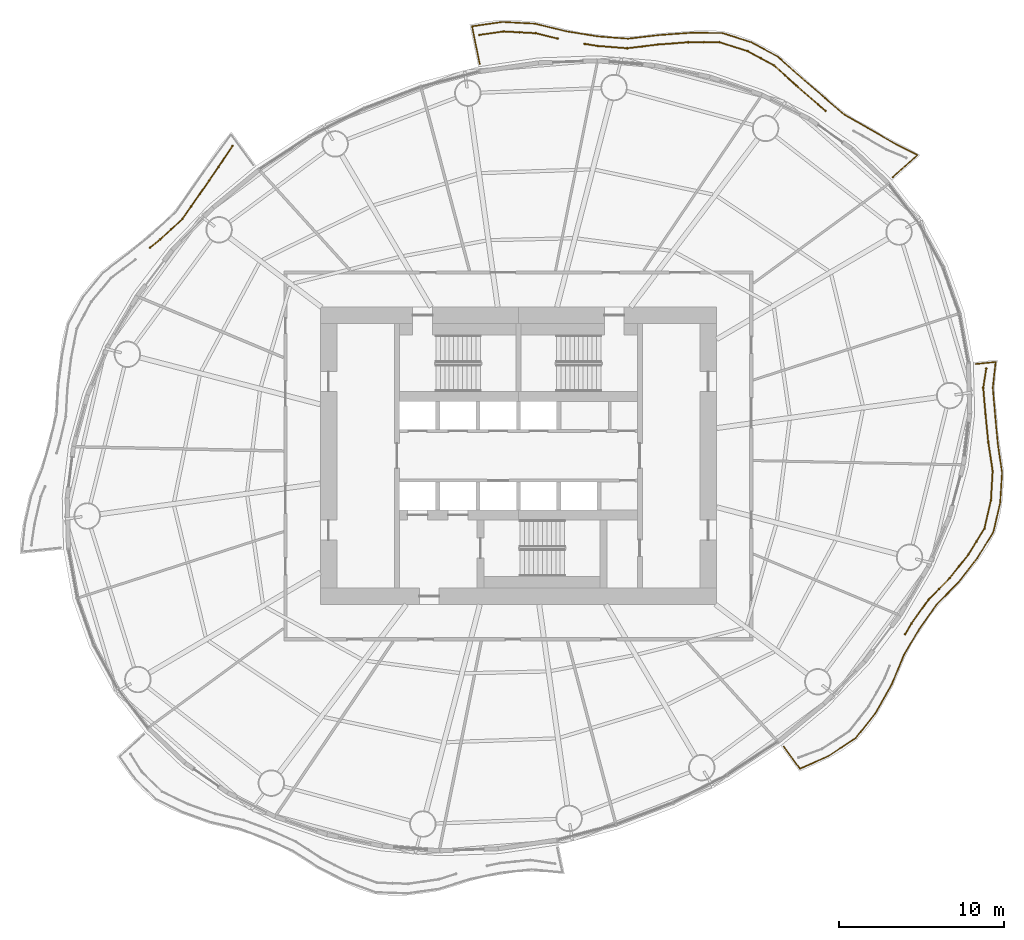
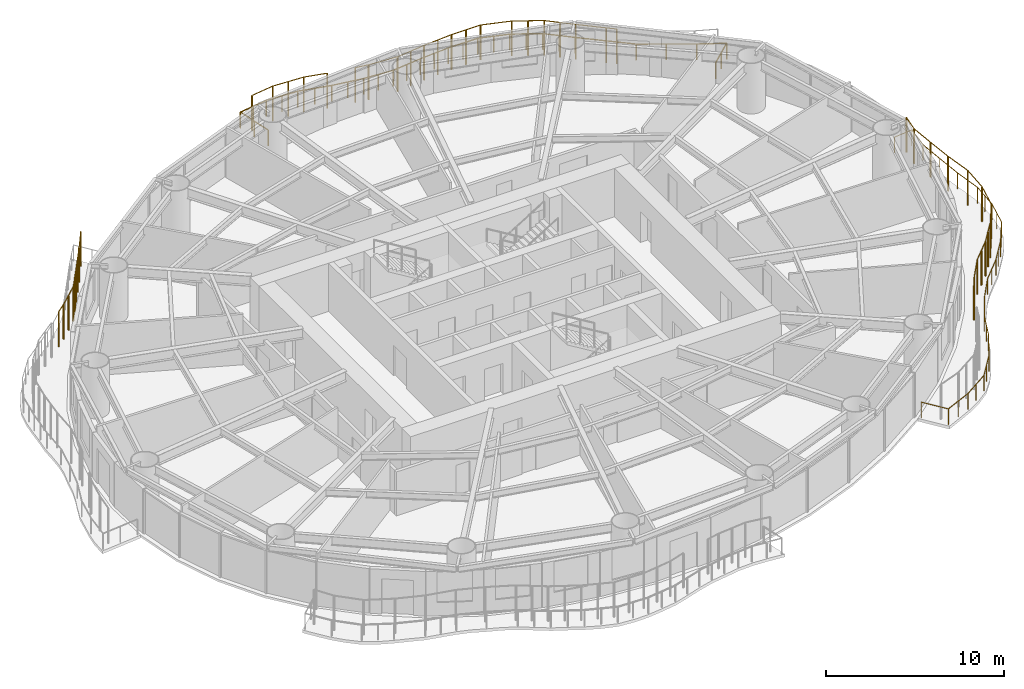
# One storey, part 14 of 15: 6 railings.
"""IFC4 building model written with IfcOpenShell, lengths in metres."""

from ifc_helpers import new_model, si_unit, direction, frame, origin, origin_2d, place, context, subcontext, project, spatial, circle, extrude, material, type_object, element, save


model = new_model("IFC4")

# Units and contexts
model_context = context("Model", 3, precision=1e-05, world=origin(), true_north=direction((0.0, 1.0)))
body_context = subcontext(model_context, "Body", "Model", "MODEL_VIEW")
ifc_project = project(units=[si_unit("LENGTHUNIT", "METRE"), si_unit("AREAUNIT", "SQUARE_METRE"), si_unit("VOLUMEUNIT", "CUBIC_METRE"), si_unit("PLANEANGLEUNIT", "RADIAN"), si_unit("MASSUNIT", "GRAM", prefix="KILO")], contexts=[model_context])

# Site, building, storey
site_placement = place(None, origin())
site = spatial("IfcSite", under=ifc_project, at=site_placement, CompositionType="ELEMENT")
building_placement = place(site_placement, origin())
building = spatial("IfcBuilding", under=site, at=building_placement, Name="Vermilion Reach Broadcast Tower", CompositionType="ELEMENT")
storey_placement = place(building_placement, frame((0.0, 0.0, 128.199951171875)))
storey = spatial("IfcBuildingStorey", under=building, at=storey_placement, Name="L30", CompositionType="ELEMENT", Elevation=128.199951171875)

# Railings
ifc_material_1 = material(Name="Terracotta baguette", Category="masonry")
railing_type_1 = type_object("IfcRailingType", Name="BAGUETTE SCREEN", PredefinedType="USERDEFINED", material=ifc_material_1)
railing_1_placement = place(storey_placement, frame((12.5810546875, 20.88671875, 0.0)))
element("IfcRailing", 1, at=railing_1_placement, inside=storey, type_object=railing_type_1, Name="Baguette screen L30 group 1 part 2", ObjectType="BAGUETTE SCREEN", PredefinedType="USERDEFINED", context=body_context, shape_type="SweptSolid", body=[
    extrude(circle(Radius=0.030029296875, at=origin_2d()), frame((0.0, 0.0, 2.369873046875), z_axis=(-0.755043729656, 0.655674436217, 0.0), x_axis=(-0.655674436217, -0.755043729656, 0.0)), (0.0, 0.0, 1.0), 0.599365234375),
    extrude(circle(Radius=0.030029296875, at=origin_2d()), frame((-0.45263671875, 0.39306640625, 2.369873046875), z_axis=(-0.754321450318, 0.656505254807, 0.0), x_axis=(-0.656505254807, -0.754321450318, 0.0)), (0.0, 0.0, 1.0), 1.73974609375),
    extrude(circle(Radius=0.030029296875, at=origin_2d()), frame((-1.764892578125, 1.53515625, 2.369873046875), z_axis=(-0.741305664288, 0.67116757378, 0.0), x_axis=(-0.67116757378, -0.741305664288, 0.0)), (0.0, 0.0, 1.0), 1.81005859375),
    extrude(circle(Radius=0.030029296875, at=origin_2d()), frame((-3.106689453125, 2.75, 2.369873046875), z_axis=(-0.879491687142, 0.475914248839, 0.0), x_axis=(-0.475914248839, -0.879491687142, 0.0)), (0.0, 0.0, 1.0), 1.8125),
    extrude(circle(Radius=0.030029296875, at=origin_2d()), frame((-4.70068359375, 3.612548828125, 2.369873046875), z_axis=(-0.953558055024, 0.301209288866, 0.0), x_axis=(-0.301209288866, -0.953558055024, 0.0)), (0.0, 0.0, 1.0), 1.79931640625),
    extrude(circle(Radius=0.030029296875, at=origin_2d()), frame((-6.41650390625, 4.154541015625, 2.369873046875), z_axis=(-0.999999158656, -0.001297184017, 0.0), x_axis=(0.001297184017, -0.999999158656, 0.0)), (0.0, 0.0, 1.0), 1.882080078125),
    extrude(circle(Radius=0.030029296875, at=origin_2d()), frame((-8.298583984375, 4.152099609375, 2.369873046875), z_axis=(-0.997128390542, -0.075729603033, 0.0), x_axis=(0.075729603033, -0.997128390542, 0.0)), (0.0, 0.0, 1.0), 1.853759765625),
    extrude(circle(Radius=0.030029296875, at=origin_2d()), frame((-10.14697265625, 4.01171875, 2.369873046875), z_axis=(-0.992766519072, -0.120060978714, 0.0), x_axis=(0.120060978714, -0.992766519072, 0.0)), (0.0, 0.0, 1.0), 1.860595703125),
    extrude(circle(Radius=0.030029296875, at=origin_2d()), frame((-11.994140625, 3.788330078125, 2.369873046875), z_axis=(-0.997052088524, 0.07672765323, 0.0), x_axis=(-0.07672765323, -0.997052088524, 0.0)), (0.0, 0.0, 1.0), 1.7978515625),
    extrude(circle(Radius=0.030029296875, at=origin_2d()), frame((-13.78662109375, 3.92626953125, 2.369873046875), z_axis=(-0.986852441114, 0.161623820851, 0.0), x_axis=(-0.161623820851, -0.986852441114, 0.0)), (0.0, 0.0, 1.0), 0.799072265625),
    extrude(circle(Radius=0.050048828125, at=origin_2d()), origin(), (0.0, 0.0, 1.0), 2.33984375),
    extrude(circle(Radius=0.050048828125, at=origin_2d()), frame((-0.45263671875, 0.39306640625, 0.0)), (0.0, 0.0, 1.0), 2.33984375),
    extrude(circle(Radius=0.050048828125, at=origin_2d()), frame((-1.764892578125, 1.53515625, 0.0)), (0.0, 0.0, 1.0), 2.33984375),
    extrude(circle(Radius=0.050048828125, at=origin_2d()), frame((-2.435791015625, 2.142578125, 0.0)), (0.0, 0.0, 1.0), 2.33984375),
    extrude(circle(Radius=0.050048828125, at=origin_2d()), frame((-3.106689453125, 2.75, 0.0)), (0.0, 0.0, 1.0), 2.33984375),
    extrude(circle(Radius=0.050048828125, at=origin_2d()), frame((-3.90380859375, 3.18115234375, 0.0)), (0.0, 0.0, 1.0), 2.33984375),
    extrude(circle(Radius=0.050048828125, at=origin_2d()), frame((-4.70068359375, 3.612548828125, 0.0)), (0.0, 0.0, 1.0), 2.33984375),
    extrude(circle(Radius=0.050048828125, at=origin_2d()), frame((-6.41650390625, 4.154541015625, 0.0)), (0.0, 0.0, 1.0), 2.33984375),
    extrude(circle(Radius=0.050048828125, at=origin_2d()), frame((-7.357421875, 4.1533203125, 0.0)), (0.0, 0.0, 1.0), 2.33984375),
    extrude(circle(Radius=0.050048828125, at=origin_2d()), frame((-8.298583984375, 4.152099609375, 0.0)), (0.0, 0.0, 1.0), 2.33984375),
    extrude(circle(Radius=0.050048828125, at=origin_2d()), frame((-9.22265625, 4.08203125, 0.0)), (0.0, 0.0, 1.0), 2.33984375),
    extrude(circle(Radius=0.050048828125, at=origin_2d()), frame((-10.14697265625, 4.01171875, 0.0)), (0.0, 0.0, 1.0), 2.33984375),
    extrude(circle(Radius=0.050048828125, at=origin_2d()), frame((-11.070556640625, 3.89990234375, 0.0)), (0.0, 0.0, 1.0), 2.33984375),
    extrude(circle(Radius=0.050048828125, at=origin_2d()), frame((-11.994140625, 3.788330078125, 0.0)), (0.0, 0.0, 1.0), 2.33984375),
    extrude(circle(Radius=0.050048828125, at=origin_2d()), frame((-13.78662109375, 3.92626953125, 0.0)), (0.0, 0.0, 1.0), 2.33984375),
    extrude(circle(Radius=0.050048828125, at=origin_2d()), frame((-14.5751953125, 4.055419921875, 0.0)), (0.0, 0.0, 1.0), 2.33984375),
])
railing_2_placement = place(storey_placement, frame((-3.625, 25.25732421875, 0.0)))
element("IfcRailing", 2, at=railing_2_placement, inside=storey, type_object=railing_type_1, Name="Baguette screen L30 group 1 part 3", ObjectType="BAGUETTE SCREEN", PredefinedType="USERDEFINED", context=body_context, shape_type="SweptSolid", body=[
    extrude(circle(Radius=0.030029296875, at=origin_2d()), frame((0.0, 0.0, 2.369873046875), z_axis=(-0.970717586101, 0.240223579265, 0.0), x_axis=(-0.240223579265, -0.970717586101, 0.0)), (0.0, 0.0, 1.0), 1.366943359375),
    extrude(circle(Radius=0.030029296875, at=origin_2d()), frame((-1.326904296875, 0.328369140625, 2.369873046875), z_axis=(-0.998505426271, 0.054652664239, 0.0), x_axis=(-0.054652664239, -0.998505426271, 0.0)), (0.0, 0.0, 1.0), 1.9521484375),
    extrude(circle(Radius=0.030029296875, at=origin_2d()), frame((-3.276123046875, 0.43505859375, 2.369873046875), z_axis=(-0.989843793392, -0.142159293343, 0.0), x_axis=(0.142159293343, -0.989843793392, 0.0)), (0.0, 0.0, 1.0), 1.482177734375),
    extrude(circle(Radius=0.050048828125, at=origin_2d()), origin(), (0.0, 0.0, 1.0), 2.33984375),
    extrude(circle(Radius=0.050048828125, at=origin_2d()), frame((-1.326904296875, 0.328369140625, 0.0)), (0.0, 0.0, 1.0), 2.33984375),
    extrude(circle(Radius=0.050048828125, at=origin_2d()), frame((-2.301513671875, 0.3818359375, 0.0)), (0.0, 0.0, 1.0), 2.33984375),
    extrude(circle(Radius=0.050048828125, at=origin_2d()), frame((-3.276123046875, 0.43505859375, 0.0)), (0.0, 0.0, 1.0), 2.33984375),
    extrude(circle(Radius=0.050048828125, at=origin_2d()), frame((-4.7431640625, 0.224365234375, 0.0)), (0.0, 0.0, 1.0), 2.33984375),
])
railing_3_placement = place(storey_placement, frame((-23.31640625, 18.76220703125, 0.0)))
element("IfcRailing", 3, at=railing_3_placement, inside=storey, type_object=railing_type_1, Name="Baguette screen L30 group 2 part 1", ObjectType="BAGUETTE SCREEN", PredefinedType="USERDEFINED", context=body_context, shape_type="SweptSolid", body=[
    extrude(circle(Radius=0.030029296875, at=origin_2d()), frame((0.0, 0.0, 2.369873046875), z_axis=(-0.552401523869, -0.833578164557, 0.0), x_axis=(0.833578164557, -0.552401523869, 0.0)), (0.0, 0.0, 1.0), 1.545654296875),
    extrude(circle(Radius=0.030029296875, at=origin_2d()), frame((-0.853759765625, -1.288330078125, 2.369873046875), z_axis=(-0.568233102795, -0.822867632665, 0.0), x_axis=(0.822867632665, -0.568233102795, 0.0)), (0.0, 0.0, 1.0), 1.9501953125),
    extrude(circle(Radius=0.030029296875, at=origin_2d()), frame((-1.9619140625, -2.89306640625, 2.369873046875), z_axis=(-0.572402045613, -0.819973108204, 0.0), x_axis=(0.819973108204, -0.572402045613, 0.0)), (0.0, 0.0, 1.0), 1.87060546875),
    extrude(circle(Radius=0.030029296875, at=origin_2d()), frame((-3.03271484375, -4.427001953125, 2.369873046875), z_axis=(-0.736118603324, -0.67685257024, 0.0), x_axis=(0.67685257024, -0.736118603324, 0.0)), (0.0, 0.0, 1.0), 1.84130859375),
    extrude(circle(Radius=0.030029296875, at=origin_2d()), frame((-4.38818359375, -5.67333984375, 2.369873046875), z_axis=(-0.775882030409, -0.630878019025, 0.0), x_axis=(0.630878019025, -0.775882030409, 0.0)), (0.0, 0.0, 1.0), 0.772705078125),
    extrude(circle(Radius=0.050048828125, at=origin_2d()), origin(), (0.0, 0.0, 1.0), 2.33984375),
    extrude(circle(Radius=0.050048828125, at=origin_2d()), frame((-0.853759765625, -1.288330078125, 0.0)), (0.0, 0.0, 1.0), 2.33984375),
    extrude(circle(Radius=0.050048828125, at=origin_2d()), frame((-1.40771484375, -2.0908203125, 0.0)), (0.0, 0.0, 1.0), 2.33984375),
    extrude(circle(Radius=0.050048828125, at=origin_2d()), frame((-1.9619140625, -2.89306640625, 0.0)), (0.0, 0.0, 1.0), 2.33984375),
    extrude(circle(Radius=0.050048828125, at=origin_2d()), frame((-2.497314453125, -3.66015625, 0.0)), (0.0, 0.0, 1.0), 2.33984375),
    extrude(circle(Radius=0.050048828125, at=origin_2d()), frame((-3.03271484375, -4.427001953125, 0.0)), (0.0, 0.0, 1.0), 2.33984375),
    extrude(circle(Radius=0.050048828125, at=origin_2d()), frame((-3.71044921875, -5.05029296875, 0.0)), (0.0, 0.0, 1.0), 2.33984375),
    extrude(circle(Radius=0.050048828125, at=origin_2d()), frame((-4.38818359375, -5.67333984375, 0.0)), (0.0, 0.0, 1.0), 2.33984375),
    extrude(circle(Radius=0.050048828125, at=origin_2d()), frame((-4.98779296875, -6.160888671875, 0.0)), (0.0, 0.0, 1.0), 2.33984375),
])
railing_4_placement = place(storey_placement, frame((17.409423828125, -10.80322265625, 0.0)))
element("IfcRailing", 4, at=railing_4_placement, inside=storey, type_object=railing_type_1, Name="Baguette screen L30 group 4 part 2", ObjectType="BAGUETTE SCREEN", PredefinedType="USERDEFINED", context=body_context, shape_type="SweptSolid", body=[
    extrude(circle(Radius=0.030029296875, at=origin_2d()), frame((0.0, 0.0, 2.369873046875), z_axis=(0.505403111507, 0.862883361109, 0.0), x_axis=(-0.862883361109, 0.505403111507, 0.0)), (0.0, 0.0, 1.0), 0.752685546875),
    extrude(circle(Radius=0.030029296875, at=origin_2d()), frame((0.38037109375, 0.6494140625, 2.369873046875), z_axis=(0.582782670342, 0.812628057077, 0.0), x_axis=(-0.812628057077, 0.582782670342, 0.0)), (0.0, 0.0, 1.0), 1.76318359375),
    extrude(circle(Radius=0.030029296875, at=origin_2d()), frame((1.407958984375, 2.082275390625, 2.369873046875), z_axis=(0.700755904089, 0.713401123411, 0.0), x_axis=(-0.713401123411, 0.700755904089, 0.0)), (0.0, 0.0, 1.0), 1.853515625),
    extrude(circle(Radius=0.030029296875, at=origin_2d()), frame((2.706787109375, 3.404541015625, 2.369873046875), z_axis=(0.620840465601, 0.783936933862, 0.0), x_axis=(-0.783936933862, 0.620840465601, 0.0)), (0.0, 0.0, 1.0), 1.81884765625),
    extrude(circle(Radius=0.030029296875, at=origin_2d()), frame((3.8359375, 4.830322265625, 2.369873046875), z_axis=(0.52584490375, 0.850580470738, 0.0), x_axis=(-0.850580470738, 0.52584490375, 0.0)), (0.0, 0.0, 1.0), 1.83056640625),
    extrude(circle(Radius=0.030029296875, at=origin_2d()), frame((4.798583984375, 6.387451171875, 2.369873046875), z_axis=(0.225202566913, 0.97431196434, 0.0), x_axis=(-0.97431196434, 0.225202566913, 0.0)), (0.0, 0.0, 1.0), 1.76708984375),
    extrude(circle(Radius=0.030029296875, at=origin_2d()), frame((5.196533203125, 8.109130859375, 2.369873046875), z_axis=(0.058713980235, 0.998274846185, 0.0), x_axis=(-0.998274846185, 0.058713980235, 0.0)), (0.0, 0.0, 1.0), 1.77978515625),
    extrude(circle(Radius=0.030029296875, at=origin_2d()), frame((5.301025390625, 9.8857421875, 2.369873046875), z_axis=(-0.150905472028, 0.988548197364, 0.0), x_axis=(-0.988548197364, -0.150905472028, 0.0)), (0.0, 0.0, 1.0), 1.768310546875),
    extrude(circle(Radius=0.030029296875, at=origin_2d()), frame((5.0341796875, 11.6337890625, 2.369873046875), z_axis=(-0.098384654215, 0.995148461193, 0.0), x_axis=(-0.995148461193, -0.098384654215, 0.0)), (0.0, 0.0, 1.0), 1.684814453125),
    extrude(circle(Radius=0.030029296875, at=origin_2d()), frame((4.868408203125, 13.310546875, 2.369873046875), z_axis=(-0.086100696269, 0.996286439786, 0.0), x_axis=(-0.996286439786, -0.086100696269, 0.0)), (0.0, 0.0, 1.0), 1.613525390625),
    extrude(circle(Radius=0.030029296875, at=origin_2d()), frame((4.7294921875, 14.91796875, 2.369873046875), z_axis=(0.156320265388, 0.987706421276, 0.0), x_axis=(-0.987706421276, 0.156320265388, 0.0)), (0.0, 0.0, 1.0), 1.191650390625),
    extrude(circle(Radius=0.050048828125, at=origin_2d()), origin(), (0.0, 0.0, 1.0), 2.33984375),
    extrude(circle(Radius=0.050048828125, at=origin_2d()), frame((0.38037109375, 0.6494140625, 0.0)), (0.0, 0.0, 1.0), 2.33984375),
    extrude(circle(Radius=0.050048828125, at=origin_2d()), frame((1.407958984375, 2.082275390625, 0.0)), (0.0, 0.0, 1.0), 2.33984375),
    extrude(circle(Radius=0.050048828125, at=origin_2d()), frame((2.057373046875, 2.743408203125, 0.0)), (0.0, 0.0, 1.0), 2.33984375),
    extrude(circle(Radius=0.050048828125, at=origin_2d()), frame((2.706787109375, 3.404541015625, 0.0)), (0.0, 0.0, 1.0), 2.33984375),
    extrude(circle(Radius=0.050048828125, at=origin_2d()), frame((3.271484375, 4.117431640625, 0.0)), (0.0, 0.0, 1.0), 2.33984375),
    extrude(circle(Radius=0.050048828125, at=origin_2d()), frame((3.8359375, 4.830322265625, 0.0)), (0.0, 0.0, 1.0), 2.33984375),
    extrude(circle(Radius=0.050048828125, at=origin_2d()), frame((4.3173828125, 5.60888671875, 0.0)), (0.0, 0.0, 1.0), 2.33984375),
    extrude(circle(Radius=0.050048828125, at=origin_2d()), frame((4.798583984375, 6.387451171875, 0.0)), (0.0, 0.0, 1.0), 2.33984375),
    extrude(circle(Radius=0.050048828125, at=origin_2d()), frame((5.196533203125, 8.109130859375, 0.0)), (0.0, 0.0, 1.0), 2.33984375),
    extrude(circle(Radius=0.050048828125, at=origin_2d()), frame((5.301025390625, 9.8857421875, 0.0)), (0.0, 0.0, 1.0), 2.33984375),
    extrude(circle(Radius=0.050048828125, at=origin_2d()), frame((5.0341796875, 11.6337890625, 0.0)), (0.0, 0.0, 1.0), 2.33984375),
    extrude(circle(Radius=0.050048828125, at=origin_2d()), frame((4.868408203125, 13.310546875, 0.0)), (0.0, 0.0, 1.0), 2.33984375),
    extrude(circle(Radius=0.050048828125, at=origin_2d()), frame((4.7294921875, 14.91796875, 0.0)), (0.0, 0.0, 1.0), 2.33984375),
    extrude(circle(Radius=0.050048828125, at=origin_2d()), frame((4.915771484375, 16.094970703125, 0.0)), (0.0, 0.0, 1.0), 2.33984375),
])
ifc_material_2 = material(Name="Stainless steel 316 balustrade", Category="steel")
railing_type_2 = type_object("IfcRailingType", Name="Balcony guard 1100", PredefinedType="BALUSTRADE", material=ifc_material_2)
railing_5_placement = place(storey_placement, frame((16.66064453125, 16.8623046875, 0.0)))
element("IfcRailing", 5, at=railing_5_placement, inside=storey, type_object=railing_type_2, Name="Balcony guard L30 group 1", PredefinedType="BALUSTRADE", context=body_context, shape_type="SweptSolid", body=[
    extrude(circle(Radius=0.02490234375, at=origin_2d()), frame((0.0, 0.0, 1.0751953125), z_axis=(0.742323615007, 0.670041529014, 0.0), x_axis=(-0.670041529014, 0.742323615007, 0.0)), (0.0, 0.0, 1.0), 2.0029296875),
    extrude(circle(Radius=0.02490234375, at=origin_2d()), frame((1.48681640625, 1.342041015625, 1.0751953125), z_axis=(-0.88791782443, 0.460002105495, 0.0), x_axis=(-0.460002105495, -0.88791782443, 0.0)), (0.0, 0.0, 1.0), 1.673828125),
    extrude(circle(Radius=0.02490234375, at=origin_2d()), frame((0.00048828125, 2.112060546875, 1.0751953125), z_axis=(-0.865942270095, 0.500143964137, 0.0), x_axis=(-0.500143964137, -0.865942270095, 0.0)), (0.0, 0.0, 1.0), 1.70458984375),
    extrude(circle(Radius=0.02490234375, at=origin_2d()), frame((-1.4755859375, 2.964599609375, 1.0751953125), z_axis=(-0.868198895857, 0.496216361312, 0.0), x_axis=(-0.496216361312, -0.868198895857, 0.0)), (0.0, 0.0, 1.0), 1.697998046875),
    extrude(circle(Radius=0.02490234375, at=origin_2d()), frame((-2.94970703125, 3.80712890625, 1.0751953125), z_axis=(-0.757272536549, 0.653099001215, 0.0), x_axis=(-0.653099001215, -0.757272536549, 0.0)), (0.0, 0.0, 1.0), 1.69677734375),
    extrude(circle(Radius=0.02490234375, at=origin_2d()), frame((-4.234619140625, 4.915283203125, 1.0751953125), z_axis=(-0.757491816637, 0.652844658191, 0.0), x_axis=(-0.652844658191, -0.757491816637, 0.0)), (0.0, 0.0, 1.0), 1.780029296875),
    extrude(circle(Radius=0.02490234375, at=origin_2d()), frame((-5.5830078125, 6.077392578125, 1.0751953125), z_axis=(-0.745517770018, 0.666485749725, 0.0), x_axis=(-0.666485749725, -0.745517770018, 0.0)), (0.0, 0.0, 1.0), 1.847412109375),
    extrude(circle(Radius=0.02490234375, at=origin_2d()), frame((-6.960205078125, 7.30859375, 1.0751953125), z_axis=(-0.88076733545, 0.473549259111, 0.0), x_axis=(-0.473549259111, -0.88076733545, 0.0)), (0.0, 0.0, 1.0), 1.851318359375),
    extrude(circle(Radius=0.02490234375, at=origin_2d()), frame((-8.5908203125, 8.185302734375, 1.0751953125), z_axis=(-0.953638900936, 0.300953229958, 0.0), x_axis=(-0.300953229958, -0.953638900936, 0.0)), (0.0, 0.0, 1.0), 1.836669921875),
    extrude(circle(Radius=0.02490234375, at=origin_2d()), frame((-10.34228515625, 8.738037109375, 1.0751953125), z_axis=(-0.999994524805, 0.003309132957, 0.0), x_axis=(-0.003309132957, -0.999994524805, 0.0)), (0.0, 0.0, 1.0), 1.918212890625),
    extrude(circle(Radius=0.02490234375, at=origin_2d()), frame((-12.260498046875, 8.744384765625, 1.0751953125), z_axis=(-0.997477045357, -0.070989745644, 0.0), x_axis=(0.070989745644, -0.997477045357, 0.0)), (0.0, 0.0, 1.0), 1.88818359375),
    extrude(circle(Radius=0.02490234375, at=origin_2d()), frame((-14.143798828125, 8.6103515625, 1.0751953125), z_axis=(-0.993272278886, -0.115802331568, 0.0), x_axis=(0.115802331568, -0.993272278886, 0.0)), (0.0, 0.0, 1.0), 1.895263671875),
    extrude(circle(Radius=0.02490234375, at=origin_2d()), frame((-16.0263671875, 8.390869140625, 1.0751953125), z_axis=(-0.997088885966, 0.076247973633, 0.0), x_axis=(-0.076247973633, -0.997088885966, 0.0)), (0.0, 0.0, 1.0), 1.83154296875),
    extrude(circle(Radius=0.02490234375, at=origin_2d()), frame((-17.8525390625, 8.530517578125, 1.0751953125), z_axis=(-0.987313860514, 0.158780794923, 0.0), x_axis=(-0.158780794923, -0.987313860514, 0.0)), (0.0, 0.0, 1.0), 1.903564453125),
    extrude(circle(Radius=0.02490234375, at=origin_2d()), frame((-19.73193359375, 8.832763671875, 1.0751953125), z_axis=(-0.971906273838, 0.235368211265, 0.0), x_axis=(-0.235368211265, -0.971906273838, 0.0)), (0.0, 0.0, 1.0), 1.989501953125),
    extrude(circle(Radius=0.02490234375, at=origin_2d()), frame((-21.66552734375, 9.301025390625, 1.0751953125), z_axis=(-0.998657643248, 0.05179682984, 0.0), x_axis=(-0.05179682984, -0.998657643248, 0.0)), (0.0, 0.0, 1.0), 1.984375),
    extrude(circle(Radius=0.02490234375, at=origin_2d()), frame((-23.647216796875, 9.40380859375, 1.0751953125), z_axis=(-0.98962652225, -0.143664005438, 0.0), x_axis=(0.143664005438, -0.98962652225, 0.0)), (0.0, 0.0, 1.0), 1.84375),
    extrude(circle(Radius=0.02490234375, at=origin_2d()), frame((-25.471923828125, 9.138916015625, 1.0751953125), z_axis=(0.201106424503, -0.979569398268, 0.0), x_axis=(0.979569398268, 0.201106424503, 0.0)), (0.0, 0.0, 1.0), 2.33203125),
    extrude(circle(Radius=0.02490234375, at=origin_2d()), origin(), (0.0, 0.0, 1.0), 1.050048828125),
    extrude(circle(Radius=0.02490234375, at=origin_2d()), frame((0.743408203125, 0.6708984375, 0.0)), (0.0, 0.0, 1.0), 1.050048828125),
    extrude(circle(Radius=0.02490234375, at=origin_2d()), frame((1.48681640625, 1.342041015625, 0.0)), (0.0, 0.0, 1.0), 1.050048828125),
    extrude(circle(Radius=0.02490234375, at=origin_2d()), frame((0.00048828125, 2.112060546875, 0.0)), (0.0, 0.0, 1.0), 1.050048828125),
    extrude(circle(Radius=0.02490234375, at=origin_2d()), frame((-1.4755859375, 2.964599609375, 0.0)), (0.0, 0.0, 1.0), 1.050048828125),
    extrude(circle(Radius=0.02490234375, at=origin_2d()), frame((-2.94970703125, 3.80712890625, 0.0)), (0.0, 0.0, 1.0), 1.050048828125),
    extrude(circle(Radius=0.02490234375, at=origin_2d()), frame((-4.234619140625, 4.915283203125, 0.0)), (0.0, 0.0, 1.0), 1.050048828125),
    extrude(circle(Radius=0.02490234375, at=origin_2d()), frame((-5.5830078125, 6.077392578125, 0.0)), (0.0, 0.0, 1.0), 1.050048828125),
    extrude(circle(Radius=0.02490234375, at=origin_2d()), frame((-6.271484375, 6.69287109375, 0.0)), (0.0, 0.0, 1.0), 1.050048828125),
    extrude(circle(Radius=0.02490234375, at=origin_2d()), frame((-6.960205078125, 7.30859375, 0.0)), (0.0, 0.0, 1.0), 1.050048828125),
    extrude(circle(Radius=0.02490234375, at=origin_2d()), frame((-7.775390625, 7.7470703125, 0.0)), (0.0, 0.0, 1.0), 1.050048828125),
    extrude(circle(Radius=0.02490234375, at=origin_2d()), frame((-8.5908203125, 8.185302734375, 0.0)), (0.0, 0.0, 1.0), 1.050048828125),
    extrude(circle(Radius=0.02490234375, at=origin_2d()), frame((-9.466552734375, 8.461669921875, 0.0)), (0.0, 0.0, 1.0), 1.050048828125),
    extrude(circle(Radius=0.02490234375, at=origin_2d()), frame((-10.34228515625, 8.738037109375, 0.0)), (0.0, 0.0, 1.0), 1.050048828125),
    extrude(circle(Radius=0.02490234375, at=origin_2d()), frame((-11.30126953125, 8.7412109375, 0.0)), (0.0, 0.0, 1.0), 1.050048828125),
    extrude(circle(Radius=0.02490234375, at=origin_2d()), frame((-12.260498046875, 8.744384765625, 0.0)), (0.0, 0.0, 1.0), 1.050048828125),
    extrude(circle(Radius=0.02490234375, at=origin_2d()), frame((-13.2021484375, 8.67724609375, 0.0)), (0.0, 0.0, 1.0), 1.050048828125),
    extrude(circle(Radius=0.02490234375, at=origin_2d()), frame((-14.143798828125, 8.6103515625, 0.0)), (0.0, 0.0, 1.0), 1.050048828125),
    extrude(circle(Radius=0.02490234375, at=origin_2d()), frame((-15.0849609375, 8.50048828125, 0.0)), (0.0, 0.0, 1.0), 1.050048828125),
    extrude(circle(Radius=0.02490234375, at=origin_2d()), frame((-16.0263671875, 8.390869140625, 0.0)), (0.0, 0.0, 1.0), 1.050048828125),
    extrude(circle(Radius=0.02490234375, at=origin_2d()), frame((-16.939453125, 8.460693359375, 0.0)), (0.0, 0.0, 1.0), 1.050048828125),
    extrude(circle(Radius=0.02490234375, at=origin_2d()), frame((-17.8525390625, 8.530517578125, 0.0)), (0.0, 0.0, 1.0), 1.050048828125),
    extrude(circle(Radius=0.02490234375, at=origin_2d()), frame((-18.792236328125, 8.681640625, 0.0)), (0.0, 0.0, 1.0), 1.050048828125),
    extrude(circle(Radius=0.02490234375, at=origin_2d()), frame((-19.73193359375, 8.832763671875, 0.0)), (0.0, 0.0, 1.0), 1.050048828125),
    extrude(circle(Radius=0.02490234375, at=origin_2d()), frame((-20.69873046875, 9.06689453125, 0.0)), (0.0, 0.0, 1.0), 1.050048828125),
    extrude(circle(Radius=0.02490234375, at=origin_2d()), frame((-21.66552734375, 9.301025390625, 0.0)), (0.0, 0.0, 1.0), 1.050048828125),
    extrude(circle(Radius=0.02490234375, at=origin_2d()), frame((-22.65625, 9.3525390625, 0.0)), (0.0, 0.0, 1.0), 1.050048828125),
    extrude(circle(Radius=0.02490234375, at=origin_2d()), frame((-23.647216796875, 9.40380859375, 0.0)), (0.0, 0.0, 1.0), 1.050048828125),
    extrude(circle(Radius=0.02490234375, at=origin_2d()), frame((-24.5595703125, 9.271484375, 0.0)), (0.0, 0.0, 1.0), 1.050048828125),
    extrude(circle(Radius=0.02490234375, at=origin_2d()), frame((-25.471923828125, 9.138916015625, 0.0)), (0.0, 0.0, 1.0), 1.050048828125),
    extrude(circle(Radius=0.02490234375, at=origin_2d()), frame((-25.2373046875, 7.99658203125, 0.0)), (0.0, 0.0, 1.0), 1.050048828125),
    extrude(circle(Radius=0.02490234375, at=origin_2d()), frame((-25.0029296875, 6.8544921875, 0.0)), (0.0, 0.0, 1.0), 1.050048828125),
])
railing_6_placement = place(storey_placement, frame((10.0576171875, -17.6103515625, 0.0)))
element("IfcRailing", 6, at=railing_6_placement, inside=storey, type_object=railing_type_2, Name="Balcony guard L30 group 4", PredefinedType="BALUSTRADE", context=body_context, shape_type="SweptSolid", body=[
    extrude(circle(Radius=0.02490234375, at=origin_2d()), frame((0.0, 0.0, 1.0751953125), z_axis=(0.593495608136, -0.80483722772, 0.0), x_axis=(0.80483722772, 0.593495608136, 0.0)), (0.0, 0.0, 1.0), 1.656494140625),
    extrude(circle(Radius=0.02490234375, at=origin_2d()), frame((0.983154296875, -1.333251953125, 1.0751953125), z_axis=(0.914742513302, 0.404037293276, 0.0), x_axis=(-0.404037293276, 0.914742513302, 0.0)), (0.0, 0.0, 1.0), 1.876708984375),
    extrude(circle(Radius=0.02490234375, at=origin_2d()), frame((2.699951171875, -0.574951171875, 1.0751953125), z_axis=(0.836494218254, 0.547975750218, 0.0), x_axis=(-0.547975750218, 0.836494218254, 0.0)), (0.0, 0.0, 1.0), 1.982666015625),
    extrude(circle(Radius=0.02490234375, at=origin_2d()), frame((4.3583984375, 0.511474609375, 1.0751953125), z_axis=(0.617959657754, 0.786209807487, 0.0), x_axis=(-0.786209807487, 0.617959657754, 0.0)), (0.0, 0.0, 1.0), 1.95166015625),
    extrude(circle(Radius=0.02490234375, at=origin_2d()), frame((5.564453125, 2.0458984375, 1.0751953125), z_axis=(0.493037601904, 0.87000800175, 0.0), x_axis=(-0.87000800175, 0.493037601904, 0.0)), (0.0, 0.0, 1.0), 1.96875),
    extrude(circle(Radius=0.02490234375, at=origin_2d()), frame((6.53515625, 3.7587890625, 1.0751953125), z_axis=(0.384588488794, 0.923088129209, 0.0), x_axis=(-0.923088129209, 0.384588488794, 0.0)), (0.0, 0.0, 1.0), 1.93359375),
    extrude(circle(Radius=0.02490234375, at=origin_2d()), frame((7.27880859375, 5.543701171875, 1.0751953125), z_axis=(0.50694494654, 0.861978434288, 0.0), x_axis=(-0.861978434288, 0.50694494654, 0.0)), (0.0, 0.0, 1.0), 1.844970703125),
    extrude(circle(Radius=0.02490234375, at=origin_2d()), frame((8.214111328125, 7.134033203125, 1.0751953125), z_axis=(0.581841588728, 0.81330213674, 0.0), x_axis=(-0.81330213674, 0.581841588728, 0.0)), (0.0, 0.0, 1.0), 1.79833984375),
    extrude(circle(Radius=0.02490234375, at=origin_2d()), frame((9.260498046875, 8.5966796875, 1.0751953125), z_axis=(0.696890150156, 0.717177884918, 0.0), x_axis=(-0.717177884918, 0.696890150156, 0.0)), (0.0, 0.0, 1.0), 1.889404296875),
    extrude(circle(Radius=0.02490234375, at=origin_2d()), frame((10.5771484375, 9.95166015625, 1.0751953125), z_axis=(0.617106382761, 0.786879731825, 0.0), x_axis=(-0.786879731825, 0.617106382761, 0.0)), (0.0, 0.0, 1.0), 1.85498046875),
    extrude(circle(Radius=0.02490234375, at=origin_2d()), frame((11.721923828125, 11.411376953125, 1.0751953125), z_axis=(0.522464043068, 0.852661318286, 0.0), x_axis=(-0.852661318286, 0.522464043068, 0.0)), (0.0, 0.0, 1.0), 1.869140625),
    extrude(circle(Radius=0.02490234375, at=origin_2d()), frame((12.698486328125, 13.005126953125, 1.0751953125), z_axis=(0.226695417278, 0.973965701544, 0.0), x_axis=(-0.973965701544, 0.226695417278, 0.0)), (0.0, 0.0, 1.0), 1.80615234375),
    extrude(circle(Radius=0.02490234375, at=origin_2d()), frame((13.10791015625, 14.76416015625, 1.0751953125), z_axis=(0.06262875957, 0.998036892341, 0.0), x_axis=(-0.998036892341, 0.06262875957, 0.0)), (0.0, 0.0, 1.0), 1.820556640625),
    extrude(circle(Radius=0.02490234375, at=origin_2d()), frame((13.221923828125, 16.5810546875, 1.0751953125), z_axis=(-0.144105768305, 0.989562290885, 0.0), x_axis=(-0.989562290885, -0.144105768305, 0.0)), (0.0, 0.0, 1.0), 1.8076171875),
    extrude(circle(Radius=0.02490234375, at=origin_2d()), frame((12.96142578125, 18.369873046875, 1.0751953125), z_axis=(-0.093708487605, 0.99559967826, 0.0), x_axis=(-0.99559967826, -0.093708487605, 0.0)), (0.0, 0.0, 1.0), 1.727294921875),
    extrude(circle(Radius=0.02490234375, at=origin_2d()), frame((12.799560546875, 20.089599609375, 1.0751953125), z_axis=(-0.083569972466, 0.99650191154, 0.0), x_axis=(-0.99650191154, -0.083569972466, 0.0)), (0.0, 0.0, 1.0), 1.656494140625),
    extrude(circle(Radius=0.02490234375, at=origin_2d()), frame((12.6611328125, 21.740234375, 1.0751953125), z_axis=(0.111941441221, 0.993714805031, 0.0), x_axis=(-0.993714805031, 0.111941441221, 0.0)), (0.0, 0.0, 1.0), 1.5615234375),
    extrude(circle(Radius=0.02490234375, at=origin_2d()), frame((12.8359375, 23.2919921875, 1.0751953125), z_axis=(-0.994655289773, -0.103251414163, 0.0), x_axis=(0.103251414163, -0.994655289773, 0.0)), (0.0, 0.0, 1.0), 1.205810546875),
    extrude(circle(Radius=0.02490234375, at=origin_2d()), origin(), (0.0, 0.0, 1.0), 1.050048828125),
    extrude(circle(Radius=0.02490234375, at=origin_2d()), frame((0.983154296875, -1.333251953125, 0.0)), (0.0, 0.0, 1.0), 1.050048828125),
    extrude(circle(Radius=0.02490234375, at=origin_2d()), frame((1.841552734375, -0.9541015625, 0.0)), (0.0, 0.0, 1.0), 1.050048828125),
    extrude(circle(Radius=0.02490234375, at=origin_2d()), frame((2.699951171875, -0.574951171875, 0.0)), (0.0, 0.0, 1.0), 1.050048828125),
    extrude(circle(Radius=0.02490234375, at=origin_2d()), frame((3.529296875, -0.03173828125, 0.0)), (0.0, 0.0, 1.0), 1.050048828125),
    extrude(circle(Radius=0.02490234375, at=origin_2d()), frame((4.3583984375, 0.511474609375, 0.0)), (0.0, 0.0, 1.0), 1.050048828125),
    extrude(circle(Radius=0.02490234375, at=origin_2d()), frame((4.96142578125, 1.27880859375, 0.0)), (0.0, 0.0, 1.0), 1.050048828125),
    extrude(circle(Radius=0.02490234375, at=origin_2d()), frame((5.564453125, 2.0458984375, 0.0)), (0.0, 0.0, 1.0), 1.050048828125),
    extrude(circle(Radius=0.02490234375, at=origin_2d()), frame((6.0498046875, 2.90234375, 0.0)), (0.0, 0.0, 1.0), 1.050048828125),
    extrude(circle(Radius=0.02490234375, at=origin_2d()), frame((6.53515625, 3.7587890625, 0.0)), (0.0, 0.0, 1.0), 1.050048828125),
    extrude(circle(Radius=0.02490234375, at=origin_2d()), frame((6.906982421875, 4.6513671875, 0.0)), (0.0, 0.0, 1.0), 1.050048828125),
    extrude(circle(Radius=0.02490234375, at=origin_2d()), frame((7.27880859375, 5.543701171875, 0.0)), (0.0, 0.0, 1.0), 1.050048828125),
    extrude(circle(Radius=0.02490234375, at=origin_2d()), frame((7.74658203125, 6.3388671875, 0.0)), (0.0, 0.0, 1.0), 1.050048828125),
    extrude(circle(Radius=0.02490234375, at=origin_2d()), frame((8.214111328125, 7.134033203125, 0.0)), (0.0, 0.0, 1.0), 1.050048828125),
    extrude(circle(Radius=0.02490234375, at=origin_2d()), frame((9.260498046875, 8.5966796875, 0.0)), (0.0, 0.0, 1.0), 1.050048828125),
    extrude(circle(Radius=0.02490234375, at=origin_2d()), frame((9.9189453125, 9.274169921875, 0.0)), (0.0, 0.0, 1.0), 1.050048828125),
    extrude(circle(Radius=0.02490234375, at=origin_2d()), frame((10.5771484375, 9.95166015625, 0.0)), (0.0, 0.0, 1.0), 1.050048828125),
    extrude(circle(Radius=0.02490234375, at=origin_2d()), frame((11.1494140625, 10.681640625, 0.0)), (0.0, 0.0, 1.0), 1.050048828125),
    extrude(circle(Radius=0.02490234375, at=origin_2d()), frame((11.721923828125, 11.411376953125, 0.0)), (0.0, 0.0, 1.0), 1.050048828125),
    extrude(circle(Radius=0.02490234375, at=origin_2d()), frame((12.210205078125, 12.208251953125, 0.0)), (0.0, 0.0, 1.0), 1.050048828125),
    extrude(circle(Radius=0.02490234375, at=origin_2d()), frame((12.698486328125, 13.005126953125, 0.0)), (0.0, 0.0, 1.0), 1.050048828125),
    extrude(circle(Radius=0.02490234375, at=origin_2d()), frame((12.9033203125, 13.884765625, 0.0)), (0.0, 0.0, 1.0), 1.050048828125),
    extrude(circle(Radius=0.02490234375, at=origin_2d()), frame((13.10791015625, 14.76416015625, 0.0)), (0.0, 0.0, 1.0), 1.050048828125),
    extrude(circle(Radius=0.02490234375, at=origin_2d()), frame((13.1650390625, 15.672607421875, 0.0)), (0.0, 0.0, 1.0), 1.050048828125),
    extrude(circle(Radius=0.02490234375, at=origin_2d()), frame((13.221923828125, 16.5810546875, 0.0)), (0.0, 0.0, 1.0), 1.050048828125),
    extrude(circle(Radius=0.02490234375, at=origin_2d()), frame((13.091796875, 17.4755859375, 0.0)), (0.0, 0.0, 1.0), 1.050048828125),
    extrude(circle(Radius=0.02490234375, at=origin_2d()), frame((12.96142578125, 18.369873046875, 0.0)), (0.0, 0.0, 1.0), 1.050048828125),
    extrude(circle(Radius=0.02490234375, at=origin_2d()), frame((12.799560546875, 20.089599609375, 0.0)), (0.0, 0.0, 1.0), 1.050048828125),
    extrude(circle(Radius=0.02490234375, at=origin_2d()), frame((12.6611328125, 21.740234375, 0.0)), (0.0, 0.0, 1.0), 1.050048828125),
    extrude(circle(Radius=0.02490234375, at=origin_2d()), frame((12.8359375, 23.2919921875, 0.0)), (0.0, 0.0, 1.0), 1.050048828125),
    extrude(circle(Radius=0.02490234375, at=origin_2d()), frame((11.636474609375, 23.16748046875, 0.0)), (0.0, 0.0, 1.0), 1.050048828125),
])

save(model, "model.ifc")
